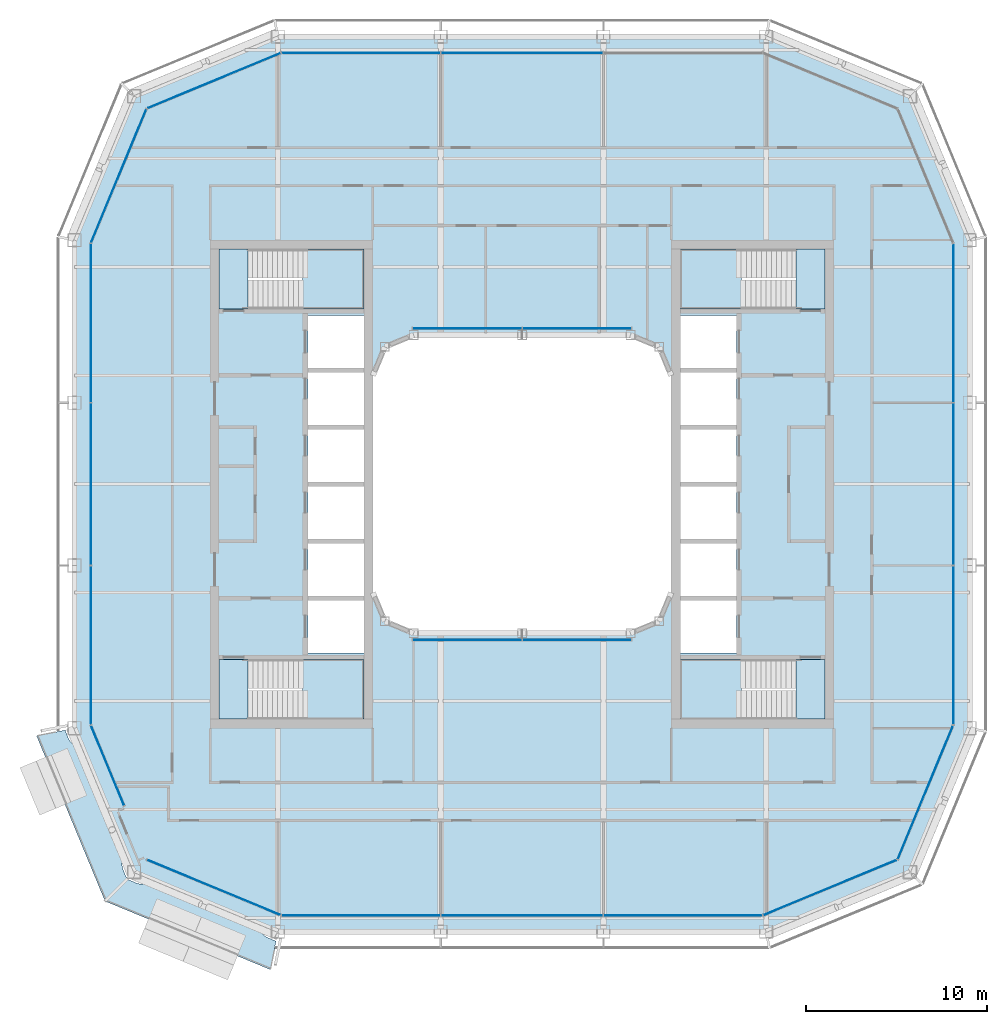
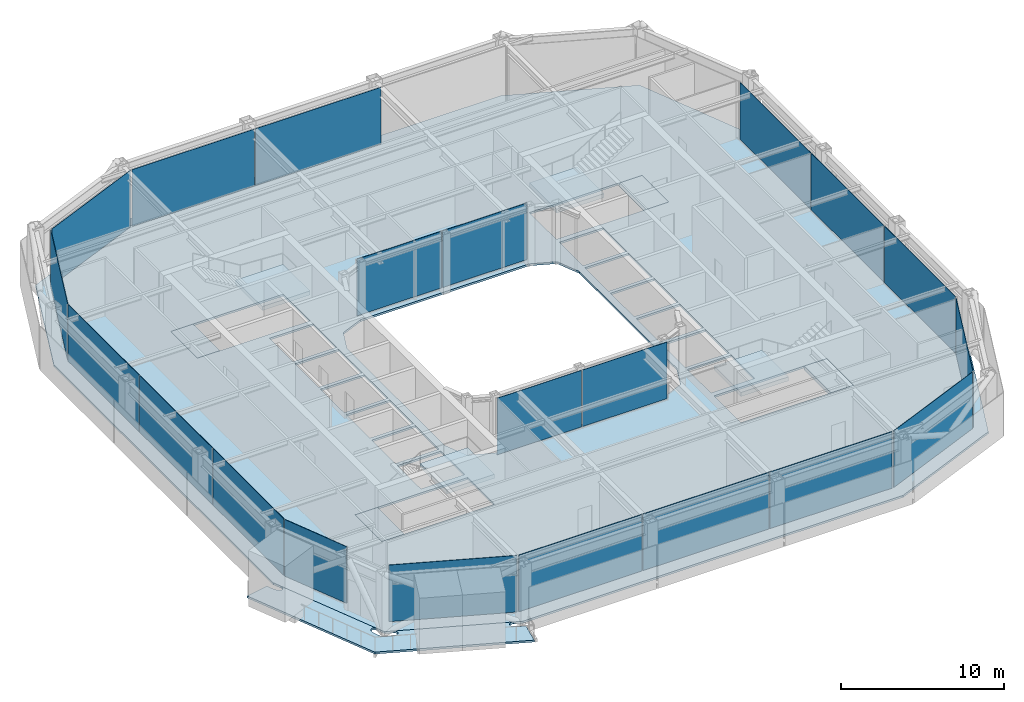
# One storey, part 9 of 20: 21 plates, 10 slabs, 16 elements without a shape of their own.
"""IFC4 building model written with IfcOpenShell, lengths in metres."""

from ifc_helpers import new_model, si_unit, direction, frame, origin, origin_2d, place, context, subcontext, project, spatial, polyline, rectangle, outline, extrude, material, layer, layer_set, type_object, element, aggregate, save


model = new_model("IFC4")

# Units and contexts
model_context = context("Model", 3, precision=1e-05, world=origin(), true_north=direction((0.0, 1.0)))
body_context = subcontext(model_context, "Body", "Model", "MODEL_VIEW")
ifc_project = project(units=[si_unit("LENGTHUNIT", "METRE"), si_unit("AREAUNIT", "SQUARE_METRE"), si_unit("VOLUMEUNIT", "CUBIC_METRE"), si_unit("PLANEANGLEUNIT", "RADIAN"), si_unit("MASSUNIT", "GRAM", prefix="KILO")], contexts=[model_context])

# Site, building, storey
site_placement = place(None, origin())
site = spatial("IfcSite", under=ifc_project, at=site_placement, CompositionType="ELEMENT")
building_placement = place(site_placement, origin())
building = spatial("IfcBuilding", under=site, at=building_placement, Name="Siwar Civic Tower", CompositionType="ELEMENT")
storey_placement = place(building_placement, frame((0.0, 0.0, 298.699951171875)))
storey = spatial("IfcBuildingStorey", under=building, at=storey_placement, Name="L64", CompositionType="ELEMENT", Elevation=298.699951171875)

# Stair, slabs
ifc_material_1 = material(Name="Concrete C40/50", Category="concrete")
stair_type = type_object("IfcStairType", Name="CORE-STAIR", PredefinedType="TWO_STRAIGHT_RUN_STAIR", material=ifc_material_1)
stair_1_placement = place(storey_placement, origin())
stair_1 = element("IfcStair", 1, at=stair_1_placement, inside=storey, type_object=stair_type, Name="Exit stair ST1", PredefinedType="TWO_STRAIGHT_RUN_STAIR")
ifc_material_2 = material(Name="Concrete C40/50", Category="concrete")
ifc_layer_1 = layer(ifc_material_2, 0.300048828125)
ifc_layer_set_1 = layer_set([ifc_layer_1], Name="Concrete C40/50")
slab_type_1 = type_object("IfcSlabType", Name="CORE-STAIR-LANDING", PredefinedType="LANDING", material=ifc_layer_set_1)
slab_1_placement = place(storey_placement, frame((0.0, 0.0, -0.300048828125)))
slab_1 = element("IfcSlab", 2, at=slab_1_placement, type_object=slab_type_1, Name="ST1 landing 1", PredefinedType="LANDING", context=body_context, shape_type="SweptSolid", body=[
    extrude(outline(polyline([(-15.14990234375, 13.0), (-16.75, 13.0), (-16.75, 9.699951171875), (-15.14990234375, 9.699951171875), (-15.14990234375, 13.0)])), origin(), (0.0, 0.0, 1.0), 0.300048828125),
])
slab_2_placement = place(storey_placement, frame((0.0, 0.0, 1.949951171875)))
slab_2 = element("IfcSlab", 3, at=slab_2_placement, type_object=slab_type_1, Name="ST1 landing 2", PredefinedType="LANDING", context=body_context, shape_type="SweptSolid", body=[
    extrude(outline(polyline([(-8.75, 13.0), (-12.139892578125, 13.0), (-12.139892578125, 9.699951171875), (-8.75, 9.699951171875), (-8.75, 13.0)])), origin(), (0.0, 0.0, 1.0), 0.300048828125),
])
aggregate(stair_1, [slab_1, slab_2])

stair_2_placement = place(storey_placement, origin())
stair_2 = element("IfcStair", 4, at=stair_2_placement, inside=storey, type_object=stair_type, Name="Exit stair ST2", PredefinedType="TWO_STRAIGHT_RUN_STAIR")
slab_3_placement = place(storey_placement, frame((0.0, 0.0, -0.300048828125)))
slab_3 = element("IfcSlab", 5, at=slab_3_placement, type_object=slab_type_1, Name="ST2 landing 1", PredefinedType="LANDING", context=body_context, shape_type="SweptSolid", body=[
    extrude(outline(polyline([(-15.14990234375, -9.699951171875), (-16.75, -9.699951171875), (-16.75, -13.0), (-15.14990234375, -13.0), (-15.14990234375, -9.699951171875)])), origin(), (0.0, 0.0, 1.0), 0.300048828125),
])
slab_4_placement = place(storey_placement, frame((0.0, 0.0, 1.949951171875)))
slab_4 = element("IfcSlab", 6, at=slab_4_placement, type_object=slab_type_1, Name="ST2 landing 2", PredefinedType="LANDING", context=body_context, shape_type="SweptSolid", body=[
    extrude(outline(polyline([(-8.75, -9.699951171875), (-12.139892578125, -9.699951171875), (-12.139892578125, -13.0), (-8.75, -13.0), (-8.75, -9.699951171875)])), origin(), (0.0, 0.0, 1.0), 0.300048828125),
])
aggregate(stair_2, [slab_3, slab_4])

stair_3_placement = place(storey_placement, origin())
stair_3 = element("IfcStair", 7, at=stair_3_placement, inside=storey, type_object=stair_type, Name="Exit stair ST3", PredefinedType="TWO_STRAIGHT_RUN_STAIR")
slab_5_placement = place(storey_placement, frame((0.0, 0.0, -0.300048828125)))
slab_5 = element("IfcSlab", 8, at=slab_5_placement, type_object=slab_type_1, Name="ST3 landing 1", PredefinedType="LANDING", context=body_context, shape_type="SweptSolid", body=[
    extrude(outline(polyline([(15.14990234375, 9.699951171875), (16.75, 9.699951171875), (16.75, 13.0), (15.14990234375, 13.0), (15.14990234375, 9.699951171875)])), origin(), (0.0, 0.0, 1.0), 0.300048828125),
])
slab_6_placement = place(storey_placement, frame((0.0, 0.0, 1.949951171875)))
slab_6 = element("IfcSlab", 9, at=slab_6_placement, type_object=slab_type_1, Name="ST3 landing 2", PredefinedType="LANDING", context=body_context, shape_type="SweptSolid", body=[
    extrude(outline(polyline([(8.75, 9.699951171875), (12.139892578125, 9.699951171875), (12.139892578125, 13.0), (8.75, 13.0), (8.75, 9.699951171875)])), origin(), (0.0, 0.0, 1.0), 0.300048828125),
])
aggregate(stair_3, [slab_5, slab_6])

stair_4_placement = place(storey_placement, origin())
stair_4 = element("IfcStair", 10, at=stair_4_placement, inside=storey, type_object=stair_type, Name="Exit stair ST4", PredefinedType="TWO_STRAIGHT_RUN_STAIR")
slab_7_placement = place(storey_placement, frame((0.0, 0.0, -0.300048828125)))
slab_7 = element("IfcSlab", 11, at=slab_7_placement, type_object=slab_type_1, Name="ST4 landing 1", PredefinedType="LANDING", context=body_context, shape_type="SweptSolid", body=[
    extrude(outline(polyline([(15.14990234375, -13.0), (16.75, -13.0), (16.75, -9.699951171875), (15.14990234375, -9.699951171875), (15.14990234375, -13.0)])), origin(), (0.0, 0.0, 1.0), 0.300048828125),
])
slab_8_placement = place(storey_placement, frame((0.0, 0.0, 1.949951171875)))
slab_8 = element("IfcSlab", 12, at=slab_8_placement, type_object=slab_type_1, Name="ST4 landing 2", PredefinedType="LANDING", context=body_context, shape_type="SweptSolid", body=[
    extrude(outline(polyline([(8.75, -13.0), (12.139892578125, -13.0), (12.139892578125, -9.699951171875), (8.75, -9.699951171875), (8.75, -13.0)])), origin(), (0.0, 0.0, 1.0), 0.300048828125),
])
aggregate(stair_4, [slab_7, slab_8])

# Slab
ifc_material_3 = material(Name="Concrete C40/50", Category="concrete")
ifc_layer_2 = layer(ifc_material_3, 0.14990234375)
ifc_layer_set_2 = layer_set([ifc_layer_2], Name="Concrete C40/50")
slab_type_2 = type_object("IfcSlabType", Name="ENV-BALCONY DECK 150", PredefinedType="FLOOR", material=ifc_layer_set_2)
slab_9_placement = place(storey_placement, frame((0.0, 0.0, -0.1494140625)))
element("IfcSlab", 13, at=slab_9_placement, inside=storey, type_object=slab_type_2, Name="Tree balcony deck SW", PredefinedType="FLOOR", context=body_context, shape_type="SweptSolid", body=[
    extrude(outline(polyline([(-21.7890625, -21.848876953125), (-21.794189453125, -21.8466796875), (-21.800537109375, -21.84326171875), (-21.806396484375, -21.839111328125), (-21.818359375, -21.829833984375), (-21.829833984375, -21.829833984375), (-21.829833984375, -21.820556640625), (-21.833251953125, -21.817626953125), (-21.849365234375, -21.801025390625), (-21.85302734375, -21.796875), (-21.856689453125, -21.79248046875), (-21.869873046875, -21.77392578125), (-21.873046875, -21.76904296875), (-21.875732421875, -21.76416015625), (-21.88623046875, -21.743896484375), (-21.888671875, -21.738525390625), (-21.888671875, -21.738525390625), (-21.8955078125, -21.72216796875), (-21.949951171875, -21.5908203125), (-22.014892578125, -21.43505859375), (-22.035400390625, -21.3857421875), (-22.042236328125, -21.369384765625), (-22.04296875, -21.367431640625), (-22.06640625, -21.306396484375), (-22.068115234375, -21.3017578125), (-22.0849609375, -21.247802734375), (-22.086181640625, -21.243408203125), (-22.099853515625, -21.1884765625), (-22.101318359375, -21.181396484375), (-22.108154296875, -21.134033203125), (-22.1083984375, -21.1328125), (-22.11572265625, -21.07666015625), (-22.1162109375, -21.070068359375), (-22.1162109375, -21.0634765625), (-22.112060546875, -20.975830078125), (-22.11083984375, -20.965087890625), (-22.103271484375, -20.92578125), (-22.101318359375, -20.91796875), (-22.0986328125, -20.910400390625), (-22.08544921875, -20.8798828125), (-22.08349609375, -20.875732421875), (-22.068603515625, -20.84619140625), (-22.06494140625, -20.839599609375), (-22.060546875, -20.833251953125), (-22.055419921875, -20.82763671875), (-22.03564453125, -20.80712890625), (-22.030517578125, -20.802490234375), (-22.02490234375, -20.798095703125), (-22.01904296875, -20.794189453125), (-22.0126953125, -20.791015625), (-21.988525390625, -20.780029296875), (-21.984375, -20.7783203125), (-21.959716796875, -20.76904296875), (-21.952880859375, -20.7666015625), (-21.946044921875, -20.76513671875), (-21.93896484375, -20.76416015625), (-21.931884765625, -20.763916015625), (-21.903564453125, -20.764404296875), (-21.89599609375, -20.764892578125), (-21.888427734375, -20.76611328125), (-21.881103515625, -20.76806640625), (-21.849609375, -20.778564453125), (-21.845458984375, -20.780029296875), (-21.814453125, -20.792236328125), (-21.80712890625, -20.795654296875), (-21.800048828125, -20.7998046875), (-21.766845703125, -20.822021484375), (-21.758544921875, -20.82861328125), (-21.693359375, -20.887451171875), (-21.688720703125, -20.89208984375), (-21.6875, -20.8935546875), (-24.516357421875, -14.063720703125), (-24.51123046875, -14.103759765625), (-24.5107421875, -14.1103515625), (-24.5107421875, -14.116943359375), (-24.514892578125, -14.20458984375), (-24.51611328125, -14.21533203125), (-24.523681640625, -14.254638671875), (-24.525634765625, -14.262451171875), (-24.5283203125, -14.27001953125), (-24.54150390625, -14.300537109375), (-24.54345703125, -14.3046875), (-24.558349609375, -14.33447265625), (-24.56201171875, -14.341064453125), (-24.56640625, -14.34716796875), (-24.571533203125, -14.352783203125), (-24.591064453125, -14.373291015625), (-24.596435546875, -14.378173828125), (-24.601806640625, -14.382568359375), (-24.60791015625, -14.38623046875), (-24.6142578125, -14.389404296875), (-24.638427734375, -14.400390625), (-24.642578125, -14.402099609375), (-24.667236328125, -14.41162109375), (-24.674072265625, -14.413818359375), (-24.680908203125, -14.415283203125), (-24.68798828125, -14.416259765625), (-24.695068359375, -14.41650390625), (-24.723388671875, -14.416015625), (-24.73095703125, -14.41552734375), (-24.738525390625, -14.414306640625), (-24.745849609375, -14.412353515625), (-24.77734375, -14.402099609375), (-24.781494140625, -14.400634765625), (-24.8125, -14.388427734375), (-24.81982421875, -14.385009765625), (-24.82666015625, -14.380859375), (-24.860107421875, -14.3583984375), (-24.868408203125, -14.351806640625), (-24.93359375, -14.29296875), (-24.938232421875, -14.288330078125), (-24.942626953125, -14.283203125), (-24.977294921875, -14.238525390625), (-24.97802734375, -14.237548828125), (-25.006591796875, -14.19921875), (-25.0107421875, -14.193115234375), (-25.0400390625, -14.144775390625), (-25.042236328125, -14.140869140625), (-25.068603515625, -14.0908203125), (-25.07080078125, -14.08642578125), (-25.09765625, -14.02685546875), (-25.098388671875, -14.02490234375), (-25.101806640625, -14.0166015625), (-25.118896484375, -13.9755859375), (-25.194091796875, -13.795166015625), (-25.22802734375, -13.713134765625), (-25.24169921875, -13.68017578125), (-25.251953125, -13.65576171875), (-25.251953125, -13.65576171875), (-25.251953125, -13.65576171875), (-25.251953125, -13.65576171875), (-25.251953125, -13.65576171875), (-25.2548828125, -13.64794921875), (-25.25927734375, -13.632568359375), (-25.260986328125, -13.625), (-25.26220703125, -13.616943359375), (-25.26318359375, -13.60205078125), (-26.85009765625, -13.917724609375), (-23.062255859375, -23.062255859375), (-13.917724609375, -26.85009765625), (-13.6015625, -25.2607421875), (-13.61376953125, -25.2607421875), (-13.620361328125, -25.2607421875), (-13.627197265625, -25.259765625), (-13.6337890625, -25.258544921875), (-13.6455078125, -25.25537109375), (-13.65576171875, -25.251953125), (-13.68017578125, -25.24169921875), (-13.713134765625, -25.22802734375), (-13.795166015625, -25.194091796875), (-13.9755859375, -25.118896484375), (-14.0166015625, -25.101806640625), (-14.02490234375, -25.098388671875), (-14.02685546875, -25.09765625), (-14.08642578125, -25.07080078125), (-14.0908203125, -25.068603515625), (-14.140869140625, -25.042236328125), (-14.144775390625, -25.0400390625), (-14.193115234375, -25.0107421875), (-14.19921875, -25.006591796875), (-14.237548828125, -24.97802734375), (-14.238525390625, -24.977294921875), (-14.283203125, -24.942626953125), (-14.288330078125, -24.938232421875), (-14.29296875, -24.93359375), (-14.351806640625, -24.868408203125), (-14.3583984375, -24.860107421875), (-14.380859375, -24.82666015625), (-14.385009765625, -24.81982421875), (-14.388427734375, -24.8125), (-14.400634765625, -24.781494140625), (-14.402099609375, -24.77734375), (-14.412353515625, -24.745849609375), (-14.414306640625, -24.738525390625), (-14.41552734375, -24.73095703125), (-14.416015625, -24.723388671875), (-14.41650390625, -24.695068359375), (-14.416259765625, -24.68798828125), (-14.415283203125, -24.680908203125), (-14.413818359375, -24.674072265625), (-14.41162109375, -24.667236328125), (-14.402099609375, -24.642578125), (-14.400390625, -24.638427734375), (-14.389404296875, -24.6142578125), (-14.38623046875, -24.60791015625), (-14.382568359375, -24.601806640625), (-14.378173828125, -24.596435546875), (-14.373291015625, -24.591064453125), (-14.352783203125, -24.571533203125), (-14.34716796875, -24.56640625), (-14.341064453125, -24.56201171875), (-14.33447265625, -24.558349609375), (-14.3046875, -24.54345703125), (-14.300537109375, -24.54150390625), (-14.27001953125, -24.5283203125), (-14.262451171875, -24.525634765625), (-14.254638671875, -24.523681640625), (-14.21533203125, -24.51611328125), (-14.20458984375, -24.514892578125), (-14.116943359375, -24.5107421875), (-14.1103515625, -24.5107421875), (-14.103759765625, -24.51123046875), (-14.063720703125, -24.516357421875), (-20.8935546875, -21.6875), (-20.89208984375, -21.688720703125), (-20.887451171875, -21.693359375), (-20.82861328125, -21.758544921875), (-20.822021484375, -21.766845703125), (-20.7998046875, -21.800048828125), (-20.795654296875, -21.80712890625), (-20.792236328125, -21.814453125), (-20.780029296875, -21.845458984375), (-20.778564453125, -21.849609375), (-20.76806640625, -21.881103515625), (-20.76611328125, -21.888427734375), (-20.764892578125, -21.89599609375), (-20.764404296875, -21.903564453125), (-20.763916015625, -21.931884765625), (-20.76416015625, -21.93896484375), (-20.76513671875, -21.946044921875), (-20.7666015625, -21.952880859375), (-20.76904296875, -21.959716796875), (-20.7783203125, -21.984375), (-20.780029296875, -21.988525390625), (-20.791015625, -22.0126953125), (-20.794189453125, -22.01904296875), (-20.798095703125, -22.02490234375), (-20.802490234375, -22.030517578125), (-20.80712890625, -22.03564453125), (-20.82763671875, -22.055419921875), (-20.833251953125, -22.060546875), (-20.839599609375, -22.06494140625), (-20.84619140625, -22.068603515625), (-20.875732421875, -22.08349609375), (-20.8798828125, -22.08544921875), (-20.910400390625, -22.0986328125), (-20.91796875, -22.101318359375), (-20.92578125, -22.103271484375), (-20.965087890625, -22.11083984375), (-20.975830078125, -22.112060546875), (-21.0634765625, -22.1162109375), (-21.070068359375, -22.1162109375), (-21.07666015625, -22.11572265625), (-21.1328125, -22.1083984375), (-21.134033203125, -22.108154296875), (-21.181396484375, -22.101318359375), (-21.1884765625, -22.099853515625), (-21.243408203125, -22.086181640625), (-21.247802734375, -22.0849609375), (-21.3017578125, -22.068115234375), (-21.306396484375, -22.06640625), (-21.367431640625, -22.04296875), (-21.369384765625, -22.042236328125), (-21.3857421875, -22.035400390625), (-21.43505859375, -22.014892578125), (-21.5908203125, -21.949951171875), (-21.656494140625, -21.922607421875), (-21.72216796875, -21.8955078125), (-21.738525390625, -21.888671875), (-21.748046875, -21.8837890625), (-21.7587890625, -21.87744140625), (-21.76416015625, -21.873779296875), (-21.76953125, -21.86962890625), (-21.7744140625, -21.864990234375), (-21.783447265625, -21.855712890625), (-21.7880859375, -21.850341796875), (-21.78857421875, -21.849609375), (-21.7890625, -21.84912109375), (-21.7890625, -21.848876953125)])), origin(), (0.0, 0.0, 1.0), 0.1494140625),
])

# Curtain wall, plates
ifc_material_4 = material(Name="Aluminium and glass", Category="aluminium")
ifc_layer_3 = layer(ifc_material_4, 0.159912109375)
ifc_layer_set_3 = layer_set([ifc_layer_3], Name="Aluminium and glass")
curtain_wall_type_1 = type_object("IfcCurtainWallType", Name="ENV-CW-D", PredefinedType="NOTDEFINED", material=ifc_layer_set_3)
curtain_wall_1_placement = place(storey_placement, origin())
curtain_wall_1 = element("IfcCurtainWall", 14, at=curtain_wall_1_placement, inside=storey, type_object=curtain_wall_type_1, Name="Curtain wall D S", PredefinedType="NOTDEFINED")
ifc_material_5 = material(Name="Glass clear laminated", Category="glass")
ifc_layer_4 = layer(ifc_material_5, 0.030029296875)
ifc_layer_set_4 = layer_set([ifc_layer_4], Name="Glass clear laminated")
plate_type_1 = type_object("IfcPlateType", Name="ENV-PANEL-D", PredefinedType="CURTAIN_PANEL", material=ifc_layer_set_4)
plate_1_placement = place(storey_placement, frame((-8.910400390625, -23.85009765625, 0.10009765625), z_axis=(0.0, 0.0, 1.0), x_axis=(1.0, 0.0, 0.0)))
plate_1 = element("IfcPlate", 15, at=plate_1_placement, type_object=plate_type_1, Name="Curtain panel D S 1", PredefinedType="CURTAIN_PANEL", context=body_context, shape_type="SweptSolid", body=[
    extrude(rectangle(XDim=8.760986328125, YDim=0.030029296875, at=origin_2d()), origin(), (0.0, 0.0, 1.0), 4.25),
])
plate_2_placement = place(storey_placement, frame((0.0, -23.85009765625, 0.10009765625), z_axis=(0.0, 0.0, 1.0), x_axis=(1.0, 0.0, 0.0)))
plate_2 = element("IfcPlate", 16, at=plate_2_placement, type_object=plate_type_1, Name="Curtain panel D S 2", PredefinedType="CURTAIN_PANEL", context=body_context, shape_type="SweptSolid", body=[
    extrude(rectangle(XDim=8.93994140625, YDim=0.030029296875, at=origin_2d()), origin(), (0.0, 0.0, 1.0), 4.25),
])
plate_3_placement = place(storey_placement, frame((8.876708984375, -23.85009765625, 0.10009765625), z_axis=(0.0, 0.0, 1.0), x_axis=(1.0, 0.0, 0.0)))
plate_3 = element("IfcPlate", 17, at=plate_3_placement, type_object=plate_type_1, Name="Curtain panel D S 3", PredefinedType="CURTAIN_PANEL", context=body_context, shape_type="SweptSolid", body=[
    extrude(rectangle(XDim=8.693115234375, YDim=0.030029296875, at=origin_2d()), origin(), (0.0, 0.0, 1.0), 4.25),
])
aggregate(curtain_wall_1, [plate_1, plate_2, plate_3])

curtain_wall_2_placement = place(storey_placement, origin())
curtain_wall_2 = element("IfcCurtainWall", 18, at=curtain_wall_2_placement, inside=storey, type_object=curtain_wall_type_1, Name="Curtain wall D E", PredefinedType="NOTDEFINED")
plate_4_placement = place(storey_placement, frame((23.85009765625, -8.910400390625, 0.10009765625), z_axis=(0.0, 0.0, 1.0), x_axis=(0.0, 1.0, 0.0)))
plate_4 = element("IfcPlate", 19, at=plate_4_placement, type_object=plate_type_1, Name="Curtain panel D E 1", PredefinedType="CURTAIN_PANEL", context=body_context, shape_type="SweptSolid", body=[
    extrude(rectangle(XDim=8.760986328125, YDim=0.030029296875, at=origin_2d()), origin(), (0.0, 0.0, 1.0), 4.25),
])
plate_5_placement = place(storey_placement, frame((23.85009765625, 0.0, 0.10009765625), z_axis=(0.0, 0.0, 1.0), x_axis=(0.0, 1.0, 0.0)))
plate_5 = element("IfcPlate", 20, at=plate_5_placement, type_object=plate_type_1, Name="Curtain panel D E 2", PredefinedType="CURTAIN_PANEL", context=body_context, shape_type="SweptSolid", body=[
    extrude(rectangle(XDim=8.93994140625, YDim=0.030029296875, at=origin_2d()), origin(), (0.0, 0.0, 1.0), 4.25),
])
plate_6_placement = place(storey_placement, frame((23.85009765625, 8.876708984375, 0.10009765625), z_axis=(0.0, 0.0, 1.0), x_axis=(0.0, 1.0, 0.0)))
plate_6 = element("IfcPlate", 21, at=plate_6_placement, type_object=plate_type_1, Name="Curtain panel D E 3", PredefinedType="CURTAIN_PANEL", context=body_context, shape_type="SweptSolid", body=[
    extrude(rectangle(XDim=8.693115234375, YDim=0.030029296875, at=origin_2d()), origin(), (0.0, 0.0, 1.0), 4.25),
])
aggregate(curtain_wall_2, [plate_4, plate_5, plate_6])

curtain_wall_3_placement = place(storey_placement, origin())
curtain_wall_3 = element("IfcCurtainWall", 22, at=curtain_wall_3_placement, inside=storey, type_object=curtain_wall_type_1, Name="Curtain wall D N", PredefinedType="NOTDEFINED")
plate_7_placement = place(storey_placement, frame((0.0, 23.85009765625, 0.10009765625), z_axis=(0.0, 0.0, 1.0), x_axis=(-1.0, 0.0, 0.0)))
plate_7 = element("IfcPlate", 23, at=plate_7_placement, type_object=plate_type_1, Name="Curtain panel D N 2", PredefinedType="CURTAIN_PANEL", context=body_context, shape_type="SweptSolid", body=[
    extrude(rectangle(XDim=8.93994140625, YDim=0.030029296875, at=origin_2d()), origin(), (0.0, 0.0, 1.0), 4.25),
])
plate_8_placement = place(storey_placement, frame((-8.876708984375, 23.85009765625, 0.10009765625), z_axis=(0.0, 0.0, 1.0), x_axis=(-1.0, 0.0, 0.0)))
plate_8 = element("IfcPlate", 24, at=plate_8_placement, type_object=plate_type_1, Name="Curtain panel D N 3", PredefinedType="CURTAIN_PANEL", context=body_context, shape_type="SweptSolid", body=[
    extrude(rectangle(XDim=8.693115234375, YDim=0.030029296875, at=origin_2d()), origin(), (0.0, 0.0, 1.0), 4.25),
])
aggregate(curtain_wall_3, [plate_7, plate_8])

curtain_wall_4_placement = place(storey_placement, origin())
curtain_wall_4 = element("IfcCurtainWall", 25, at=curtain_wall_4_placement, inside=storey, type_object=curtain_wall_type_1, Name="Curtain wall D W", PredefinedType="NOTDEFINED")
plate_9_placement = place(storey_placement, frame((-23.85009765625, 8.910400390625, 0.10009765625), z_axis=(0.0, 0.0, 1.0), x_axis=(0.0, -1.0, 0.0)))
plate_9 = element("IfcPlate", 26, at=plate_9_placement, type_object=plate_type_1, Name="Curtain panel D W 1", PredefinedType="CURTAIN_PANEL", context=body_context, shape_type="SweptSolid", body=[
    extrude(rectangle(XDim=8.760986328125, YDim=0.030029296875, at=origin_2d()), origin(), (0.0, 0.0, 1.0), 4.25),
])
plate_10_placement = place(storey_placement, frame((-23.85009765625, 0.0, 0.10009765625), z_axis=(0.0, 0.0, 1.0), x_axis=(0.0, -1.0, 0.0)))
plate_10 = element("IfcPlate", 27, at=plate_10_placement, type_object=plate_type_1, Name="Curtain panel D W 2", PredefinedType="CURTAIN_PANEL", context=body_context, shape_type="SweptSolid", body=[
    extrude(rectangle(XDim=8.93994140625, YDim=0.030029296875, at=origin_2d()), origin(), (0.0, 0.0, 1.0), 4.25),
])
plate_11_placement = place(storey_placement, frame((-23.85009765625, -8.876708984375, 0.10009765625), z_axis=(0.0, 0.0, 1.0), x_axis=(0.0, -1.0, 0.0)))
plate_11 = element("IfcPlate", 28, at=plate_11_placement, type_object=plate_type_1, Name="Curtain panel D W 3", PredefinedType="CURTAIN_PANEL", context=body_context, shape_type="SweptSolid", body=[
    extrude(rectangle(XDim=8.693115234375, YDim=0.030029296875, at=origin_2d()), origin(), (0.0, 0.0, 1.0), 4.25),
])
aggregate(curtain_wall_4, [plate_9, plate_10, plate_11])

# Curtain wall, plate
ifc_material_6 = material(Name="Aluminium clad insulated panel", Category="aluminium")
ifc_layer_5 = layer(ifc_material_6, 0.159912109375)
ifc_layer_set_5 = layer_set([ifc_layer_5], Name="Aluminium clad insulated panel")
curtain_wall_type_2 = type_object("IfcCurtainWallType", Name="ENV-CW-DX", PredefinedType="NOTDEFINED", material=ifc_layer_set_5)
curtain_wall_5_placement = place(storey_placement, origin())
curtain_wall_5 = element("IfcCurtainWall", 29, at=curtain_wall_5_placement, inside=storey, type_object=curtain_wall_type_2, Name="Curtain wall D SE1", PredefinedType="NOTDEFINED")
ifc_material_7 = material(Name="Aluminium clad insulated panel", Category="aluminium")
ifc_layer_6 = layer(ifc_material_7, 0.030029296875)
ifc_layer_set_6 = layer_set([ifc_layer_6], Name="Aluminium clad insulated panel")
plate_type_2 = type_object("IfcPlateType", Name="ENV-PANEL-DX", PredefinedType="CURTAIN_PANEL", material=ifc_layer_set_6)
plate_12_placement = place(storey_placement, frame((17.01220703125, -22.321044921875, 0.10009765625), z_axis=(0.0, 0.0, 1.0), x_axis=(0.923879532511, 0.382683432365, 0.0)))
plate_12 = element("IfcPlate", 30, at=plate_12_placement, type_object=plate_type_2, Name="Curtain panel D SE1 1", PredefinedType="CURTAIN_PANEL", context=body_context, shape_type="SweptSolid", body=[
    extrude(rectangle(XDim=7.9306640625, YDim=0.030029296875, at=origin_2d()), origin(), (0.0, 0.0, 1.0), 4.25),
])
aggregate(curtain_wall_5, [plate_12])

curtain_wall_6_placement = place(storey_placement, origin())
curtain_wall_6 = element("IfcCurtainWall", 31, at=curtain_wall_6_placement, inside=storey, type_object=curtain_wall_type_2, Name="Curtain wall D SE2", PredefinedType="NOTDEFINED")
plate_13_placement = place(storey_placement, frame((22.295166015625, -17.074951171875, 0.10009765625), z_axis=(0.0, 0.0, 1.0), x_axis=(0.382683432365, 0.923879532511, 0.0)))
plate_13 = element("IfcPlate", 32, at=plate_13_placement, type_object=plate_type_2, Name="Curtain panel D SE2 1", PredefinedType="CURTAIN_PANEL", context=body_context, shape_type="SweptSolid", body=[
    extrude(rectangle(XDim=7.9306640625, YDim=0.030029296875, at=origin_2d()), origin(), (0.0, 0.0, 1.0), 4.25),
])
aggregate(curtain_wall_6, [plate_13])

curtain_wall_7_placement = place(storey_placement, origin())
curtain_wall_7 = element("IfcCurtainWall", 33, at=curtain_wall_7_placement, inside=storey, type_object=curtain_wall_type_2, Name="Curtain wall D NW1", PredefinedType="NOTDEFINED")
plate_14_placement = place(storey_placement, frame((-17.01220703125, 22.321044921875, 0.10009765625), z_axis=(0.0, 0.0, 1.0), x_axis=(-0.923879532511, -0.382683432365, 0.0)))
plate_14 = element("IfcPlate", 34, at=plate_14_placement, type_object=plate_type_2, Name="Curtain panel D NW1 1", PredefinedType="CURTAIN_PANEL", context=body_context, shape_type="SweptSolid", body=[
    extrude(rectangle(XDim=7.9306640625, YDim=0.030029296875, at=origin_2d()), origin(), (0.0, 0.0, 1.0), 4.25),
])
aggregate(curtain_wall_7, [plate_14])

curtain_wall_8_placement = place(storey_placement, origin())
curtain_wall_8 = element("IfcCurtainWall", 35, at=curtain_wall_8_placement, inside=storey, type_object=curtain_wall_type_2, Name="Curtain wall D NW2", PredefinedType="NOTDEFINED")
plate_15_placement = place(storey_placement, frame((-22.295166015625, 17.074951171875, 0.10009765625), z_axis=(0.0, 0.0, 1.0), x_axis=(-0.382683432365, -0.923879532511, 0.0)))
plate_15 = element("IfcPlate", 36, at=plate_15_placement, type_object=plate_type_2, Name="Curtain panel D NW2 1", PredefinedType="CURTAIN_PANEL", context=body_context, shape_type="SweptSolid", body=[
    extrude(rectangle(XDim=7.9306640625, YDim=0.030029296875, at=origin_2d()), origin(), (0.0, 0.0, 1.0), 4.25),
])
aggregate(curtain_wall_8, [plate_15])

curtain_wall_9_placement = place(storey_placement, origin())
curtain_wall_9 = element("IfcCurtainWall", 37, at=curtain_wall_9_placement, inside=storey, type_object=curtain_wall_type_2, Name="Curtain wall D SW1", PredefinedType="NOTDEFINED")
plate_16_placement = place(storey_placement, frame((-22.922607421875, -15.56005859375, 0.10009765625), z_axis=(0.0, 0.0, 1.0), x_axis=(0.382683432365, -0.923879532511, 0.0)))
plate_16 = element("IfcPlate", 38, at=plate_16_placement, type_object=plate_type_2, Name="Curtain panel D SW1 1", PredefinedType="CURTAIN_PANEL", context=body_context, shape_type="SweptSolid", body=[
    extrude(rectangle(XDim=4.787109375, YDim=0.030029296875, at=origin_2d()), origin(), (0.0, 0.0, 1.0), 4.25),
])
aggregate(curtain_wall_9, [plate_16])

curtain_wall_10_placement = place(storey_placement, origin())
curtain_wall_10 = element("IfcCurtainWall", 39, at=curtain_wall_10_placement, inside=storey, type_object=curtain_wall_type_2, Name="Curtain wall D SW2", PredefinedType="NOTDEFINED")
plate_17_placement = place(storey_placement, frame((-17.074951171875, -22.295166015625, 0.10009765625), z_axis=(0.0, 0.0, 1.0), x_axis=(0.923879532511, -0.382683432365, 0.0)))
plate_17 = element("IfcPlate", 40, at=plate_17_placement, type_object=plate_type_2, Name="Curtain panel D SW2 1", PredefinedType="CURTAIN_PANEL", context=body_context, shape_type="SweptSolid", body=[
    extrude(rectangle(XDim=7.9306640625, YDim=0.030029296875, at=origin_2d()), origin(), (0.0, 0.0, 1.0), 4.25),
])
aggregate(curtain_wall_10, [plate_17])

# Curtain wall, plates
ifc_material_8 = material(Name="Aluminium and glass", Category="aluminium")
ifc_layer_7 = layer(ifc_material_8, 0.179931640625)
ifc_layer_set_7 = layer_set([ifc_layer_7], Name="Aluminium and glass")
curtain_wall_type_3 = type_object("IfcCurtainWallType", Name="ENV-CW-W", PredefinedType="NOTDEFINED", material=ifc_layer_set_7)
curtain_wall_11_placement = place(storey_placement, origin())
curtain_wall_11 = element("IfcCurtainWall", 41, at=curtain_wall_11_placement, inside=storey, type_object=curtain_wall_type_3, Name="Curtain wall W WS", PredefinedType="NOTDEFINED")
ifc_material_9 = material(Name="Glass clear laminated", Category="glass")
ifc_layer_8 = layer(ifc_material_9, 0.031982421875)
ifc_layer_set_8 = layer_set([ifc_layer_8], Name="Glass clear laminated")
plate_type_3 = type_object("IfcPlateType", Name="ENV-PANEL-W", PredefinedType="CURTAIN_PANEL", material=ifc_layer_set_8)
plate_18_placement = place(storey_placement, frame((-3.035888671875, -8.610107421875, 0.10009765625), z_axis=(0.0, 0.0, 1.0), x_axis=(1.0, 0.0, 0.0)))
plate_18 = element("IfcPlate", 42, at=plate_18_placement, type_object=plate_type_3, Name="Curtain panel W WS 1", PredefinedType="CURTAIN_PANEL", context=body_context, shape_type="SweptSolid", body=[
    extrude(rectangle(XDim=6.01171875, YDim=0.031982421875, at=origin_2d()), origin(), (0.0, 0.0, 1.0), 4.25),
])
plate_19_placement = place(storey_placement, frame((3.035888671875, -8.610107421875, 0.10009765625), z_axis=(0.0, 0.0, 1.0), x_axis=(1.0, 0.0, 0.0)))
plate_19 = element("IfcPlate", 43, at=plate_19_placement, type_object=plate_type_3, Name="Curtain panel W WS 2", PredefinedType="CURTAIN_PANEL", context=body_context, shape_type="SweptSolid", body=[
    extrude(rectangle(XDim=6.01171875, YDim=0.031982421875, at=origin_2d()), origin(), (0.0, 0.0, 1.0), 4.25),
])
aggregate(curtain_wall_11, [plate_18, plate_19])

curtain_wall_12_placement = place(storey_placement, origin())
curtain_wall_12 = element("IfcCurtainWall", 44, at=curtain_wall_12_placement, inside=storey, type_object=curtain_wall_type_3, Name="Curtain wall W WN", PredefinedType="NOTDEFINED")
plate_20_placement = place(storey_placement, frame((3.035888671875, 8.610107421875, 0.10009765625), z_axis=(0.0, 0.0, 1.0), x_axis=(-1.0, 0.0, 0.0)))
plate_20 = element("IfcPlate", 45, at=plate_20_placement, type_object=plate_type_3, Name="Curtain panel W WN 1", PredefinedType="CURTAIN_PANEL", context=body_context, shape_type="SweptSolid", body=[
    extrude(rectangle(XDim=6.01171875, YDim=0.031982421875, at=origin_2d()), origin(), (0.0, 0.0, 1.0), 4.25),
])
plate_21_placement = place(storey_placement, frame((-3.035888671875, 8.610107421875, 0.10009765625), z_axis=(0.0, 0.0, 1.0), x_axis=(-1.0, 0.0, 0.0)))
plate_21 = element("IfcPlate", 46, at=plate_21_placement, type_object=plate_type_3, Name="Curtain panel W WN 2", PredefinedType="CURTAIN_PANEL", context=body_context, shape_type="SweptSolid", body=[
    extrude(rectangle(XDim=6.01171875, YDim=0.031982421875, at=origin_2d()), origin(), (0.0, 0.0, 1.0), 4.25),
])
aggregate(curtain_wall_12, [plate_20, plate_21])

# Slab
ifc_material_10 = material(Name="Concrete C40/50", Category="concrete")
ifc_layer_9 = layer(ifc_material_10, 0.14990234375)
ifc_layer_set_9 = layer_set([ifc_layer_9], Name="Concrete C40/50")
slab_type_3 = type_object("IfcSlabType", Name="STR-FLOOR-DECK-150", PredefinedType="FLOOR", material=ifc_layer_set_9)
slab_10_placement = place(storey_placement, frame((0.0, 0.0, -0.14990234375)))
element("IfcSlab", 47, at=slab_10_placement, inside=storey, type_object=slab_type_3, Name="L64/slab/1", PredefinedType="FLOOR", context=body_context, shape_type="SweptSolid", body=[
    extrude(outline(polyline([(-13.5, -24.75), (13.5, -24.75), (21.454833984375, -21.454833984375), (24.75, -13.5), (24.75, 13.5), (21.454833984375, 21.454833984375), (13.5, 24.75), (-13.5, 24.75), (-21.454833984375, 21.454833984375), (-24.75, 13.5), (-24.75, -13.5), (-21.454833984375, -21.454833984375), (-13.5, -24.75)]), holes=[polyline([(16.75, 13.0), (16.75, 9.699951171875), (8.75, 9.699951171875), (8.75, 13.0), (16.75, 13.0)]), polyline([(8.75, -9.699951171875), (16.75, -9.699951171875), (16.75, -13.0), (8.75, -13.0), (8.75, -9.699951171875)]), polyline([(11.85009765625, 9.324951171875), (11.85009765625, 6.425048828125), (8.75, 6.425048828125), (8.75, 9.324951171875), (11.85009765625, 9.324951171875)]), polyline([(8.75, 6.175048828125), (11.85009765625, 6.175048828125), (11.85009765625, 3.27490234375), (8.75, 3.27490234375), (8.75, 6.175048828125)]), polyline([(8.75, 3.02490234375), (11.85009765625, 3.02490234375), (11.85009765625, 0.125), (8.75, 0.125), (8.75, 3.02490234375)]), polyline([(8.75, -0.125), (11.85009765625, -0.125), (11.85009765625, -3.02490234375), (8.75, -3.02490234375), (8.75, -0.125)]), polyline([(8.75, -3.27490234375), (11.85009765625, -3.27490234375), (11.85009765625, -6.175048828125), (8.75, -6.175048828125), (8.75, -3.27490234375)]), polyline([(8.75, -6.425048828125), (11.85009765625, -6.425048828125), (11.85009765625, -9.324951171875), (8.75, -9.324951171875), (8.75, -6.425048828125)]), polyline([(-6.0, 8.25), (6.0, 8.25), (7.591064453125, 7.591064453125), (8.25, 6.0), (8.25, -6.0), (7.591064453125, -7.591064453125), (6.0, -8.25), (-6.0, -8.25), (-7.591064453125, -7.591064453125), (-8.25, -6.0), (-8.25, 6.0), (-7.591064453125, 7.591064453125), (-6.0, 8.25)]), polyline([(-8.75, -13.0), (-16.75, -13.0), (-16.75, -9.699951171875), (-8.75, -9.699951171875), (-8.75, -13.0)]), polyline([(-8.75, 9.699951171875), (-16.75, 9.699951171875), (-16.75, 13.0), (-8.75, 13.0), (-8.75, 9.699951171875)]), polyline([(-8.75, 6.425048828125), (-11.85009765625, 6.425048828125), (-11.85009765625, 9.324951171875), (-8.75, 9.324951171875), (-8.75, 6.425048828125)]), polyline([(-8.75, 3.27490234375), (-11.85009765625, 3.27490234375), (-11.85009765625, 6.175048828125), (-8.75, 6.175048828125), (-8.75, 3.27490234375)]), polyline([(-8.75, 0.125), (-11.85009765625, 0.125), (-11.85009765625, 3.02490234375), (-8.75, 3.02490234375), (-8.75, 0.125)]), polyline([(-8.75, -3.02490234375), (-11.85009765625, -3.02490234375), (-11.85009765625, -0.125), (-8.75, -0.125), (-8.75, -3.02490234375)]), polyline([(-8.75, -6.175048828125), (-11.85009765625, -6.175048828125), (-11.85009765625, -3.27490234375), (-8.75, -3.27490234375), (-8.75, -6.175048828125)]), polyline([(-8.75, -9.324951171875), (-11.85009765625, -9.324951171875), (-11.85009765625, -6.425048828125), (-8.75, -6.425048828125), (-8.75, -9.324951171875)])]), origin(), (0.0, 0.0, 1.0), 0.14990234375),
])

save(model, "model.ifc")
